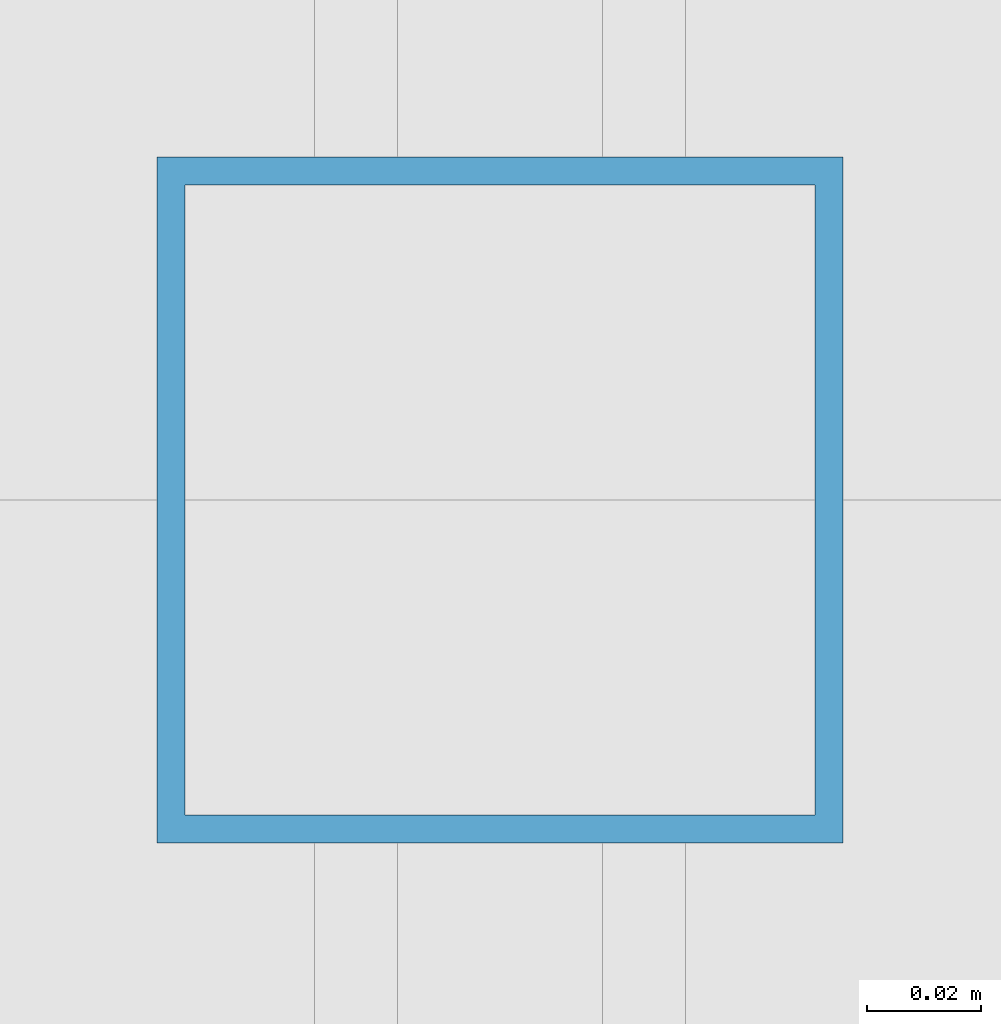
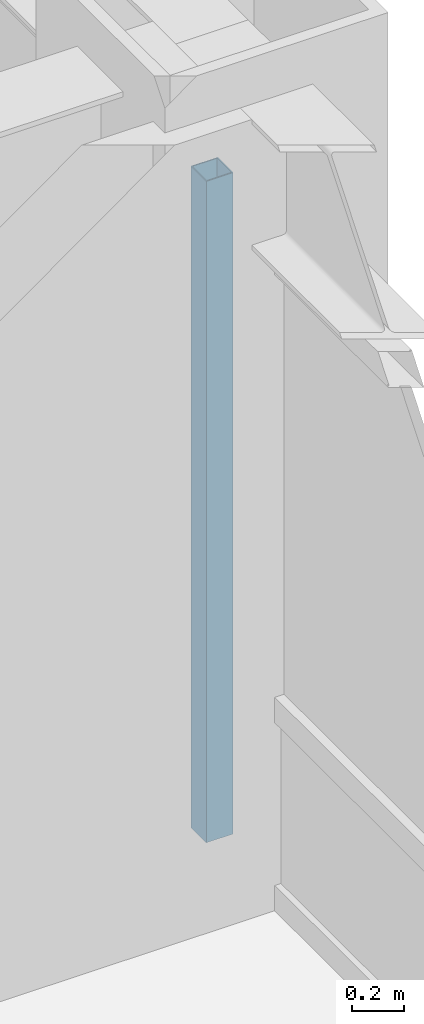
# One storey, part 10 of 25: 1 member, 1 element without a shape of its own.
"""IFC4 building model written with IfcOpenShell, lengths in metres."""

from ifc_helpers import new_model, si_unit, direction, frame, origin, origin_2d, place, context, subcontext, project, spatial, hollow_rectangle, extrude, source, transform, mapped, material, material_profile, profile_set, type_object, element, aggregate, save


model = new_model("IFC4")

# Units and contexts
model_context = context("Model", 3, precision=1e-05, world=origin(), true_north=direction((0.0, 1.0)))
body_context = subcontext(model_context, "Body", "Model", "MODEL_VIEW")
ifc_project = project(units=[si_unit("LENGTHUNIT", "METRE"), si_unit("AREAUNIT", "SQUARE_METRE"), si_unit("VOLUMEUNIT", "CUBIC_METRE"), si_unit("PLANEANGLEUNIT", "RADIAN"), si_unit("MASSUNIT", "GRAM", prefix="KILO")], contexts=[model_context])

# Site, building, storey
site_placement = place(None, origin())
site = spatial("IfcSite", under=ifc_project, at=site_placement, CompositionType="ELEMENT")
building_placement = place(site_placement, origin())
building = spatial("IfcBuilding", under=site, at=building_placement, Name="Khorayat Bourse Tower", CompositionType="ELEMENT")
storey_placement = place(building_placement, frame((0.0, 0.0, 231.10009765625)))
storey = spatial("IfcBuildingStorey", under=building, at=storey_placement, Name="L54", CompositionType="ELEMENT", Elevation=231.10009765625)

# Curtain wall, member
ifc_material = material(Name="Aluminium EN AW-6063 T6", Category="aluminium")
curtain_wall_type = type_object("IfcCurtainWallType", Name="CW-SYS-03", PredefinedType="NOTDEFINED", material=ifc_material)
curtain_wall_placement = place(storey_placement, origin())
curtain_wall = element("IfcCurtainWall", 1, at=curtain_wall_placement, inside=storey, type_object=curtain_wall_type, Name="L54 Curtain Wall CW-L54-E1", PredefinedType="NOTDEFINED")
ifc_material_profile = material_profile(ifc_material, hollow_rectangle(XDim=0.1201171875, YDim=0.1201171875, WallThickness=0.0048828125, at=origin_2d()), Name="ALU 120x120x5")
ifc_profile_set = profile_set([ifc_material_profile], Name="Aluminium EN AW-6063 T6")
member_type = type_object("IfcMemberType", Name="CWM-VERT-120", PredefinedType="MULLION", material=ifc_profile_set)
shared_shape = source(origin(), body_context, "Body", "SweptSolid", [
    extrude(hollow_rectangle(XDim=0.1201171875, YDim=0.1201171875, WallThickness=0.0048828125, at=origin_2d()), origin(), (0.0, 0.0, 1.0), 3.1298828125),
])
member_placement = place(storey_placement, frame((30.0, 0.0, 0.0), z_axis=(0.0, 0.0, 1.0), x_axis=(-1.0, 0.0, 0.0)))
member = element("IfcMember", 2, at=member_placement, type_object=member_type, Name="CW-L54-E1 Vertical Mullion 2", PredefinedType="MULLION", context=body_context, shape_type="MappedRepresentation", body=[
    mapped(shared_shape, transform((0.0, 0.0, 0.0), scale=1.0)),
])
aggregate(curtain_wall, [member])

save(model, "model.ifc")
